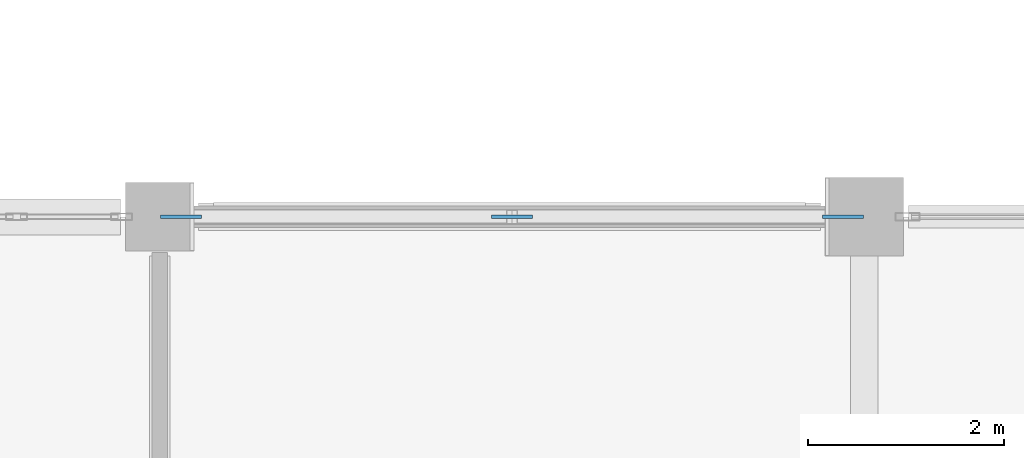
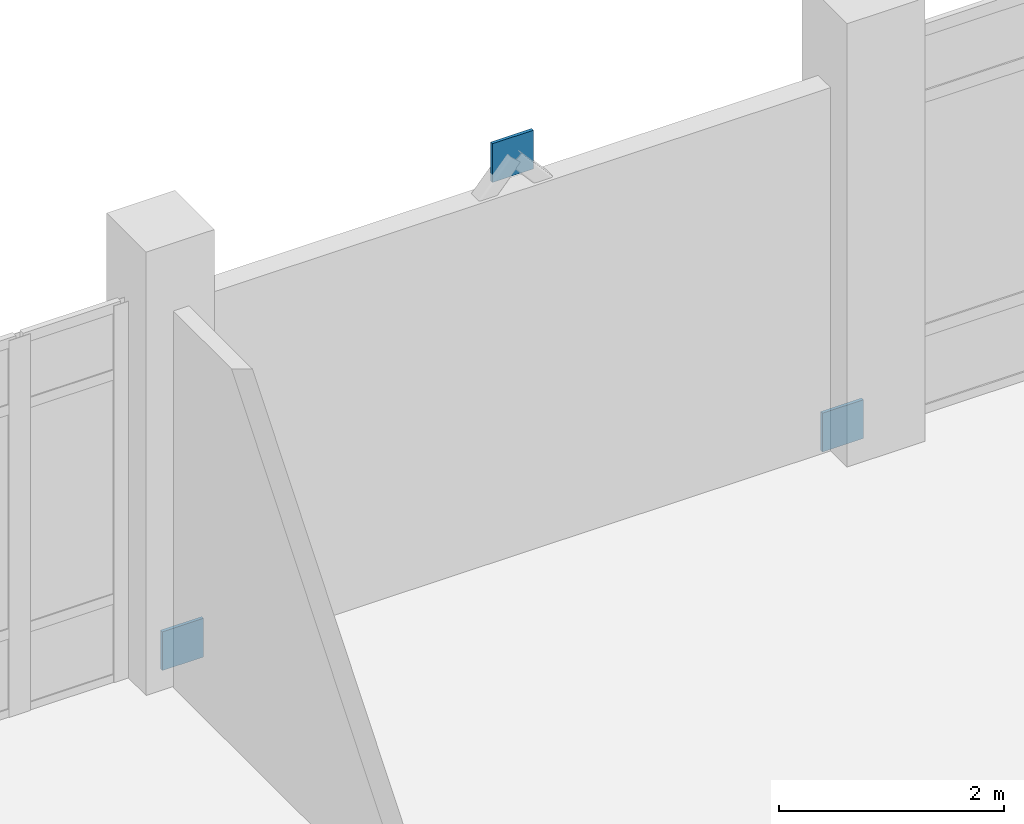
# One storey, part 124 of 153: 3 plates.
"""IFC4 building model written with IfcOpenShell, lengths in metres."""

from ifc_helpers import new_model, si_unit, direction, frame, origin, origin_2d, place, context, subcontext, project, spatial, rectangle, extrude, material, layer, layer_set, type_object, element, save


model = new_model("IFC4")

# Units and contexts
model_context = context("Model", 3, precision=1e-05, world=origin(), true_north=direction((0.0, 1.0)))
body_context = subcontext(model_context, "Body", "Model", "MODEL_VIEW")
ifc_project = project(units=[si_unit("LENGTHUNIT", "METRE"), si_unit("AREAUNIT", "SQUARE_METRE"), si_unit("VOLUMEUNIT", "CUBIC_METRE"), si_unit("PLANEANGLEUNIT", "RADIAN"), si_unit("MASSUNIT", "GRAM", prefix="KILO")], contexts=[model_context])

# Site, building, storey
site_placement = place(None, origin())
site = spatial("IfcSite", under=ifc_project, at=site_placement, CompositionType="ELEMENT")
building_placement = place(site_placement, origin())
building = spatial("IfcBuilding", under=site, at=building_placement, Name="Calvrana Isthmian Art Gallery", CompositionType="ELEMENT")
storey_placement = place(building_placement, frame((0.0, 0.0, 10.199951171875)))
storey = spatial("IfcBuildingStorey", under=building, at=storey_placement, Name="L02", CompositionType="ELEMENT", Elevation=10.199951171875)

# Plates
ifc_material = material(Name="Steel ASTM A572 Gr 50", Category="steel")
ifc_layer = layer(ifc_material, 0.031982421875, Name="Steel ASTM A572 Gr 50")
ifc_layer_set = layer_set([ifc_layer], Name="Steel ASTM A572 Gr 50")
plate_type = type_object("IfcPlateType", Name="PL-GUSSET-32", PredefinedType="USERDEFINED", material=ifc_layer_set)
for number, where, z_axis, x_axis, name in (
    (1, (120.219970703125, 98.39990234375, -0.059814453125), (0.0, 0.0, 1.0), (1.0, 0.0, 0.0), "Chevron brace gusset plate L02-15L"),
    (2, (123.60009765625, 98.39990234375, 4.04150390625), (0.0, 0.0, 1.0), (1.0, 0.0, 0.0), "Chevron brace gusset plate L02-15M"),
    (3, (126.97998046875, 98.39990234375, -0.059814453125), (0.0, 0.0, 1.0), (1.0, 0.0, 0.0), "Chevron brace gusset plate L02-15R"),
):
    element("IfcPlate", number, at=place(storey_placement, frame(where, z_axis=z_axis, x_axis=x_axis)), inside=storey, type_object=plate_type, Name=name, ObjectType="GUSSET PLATE", PredefinedType="USERDEFINED", context=body_context, shape_type="SweptSolid", body=[
        extrude(rectangle(XDim=0.419921875, YDim=0.031982421875, at=origin_2d()), origin(), (0.0, 0.0, 1.0), 0.419921875),
    ])

save(model, "model.ifc")
